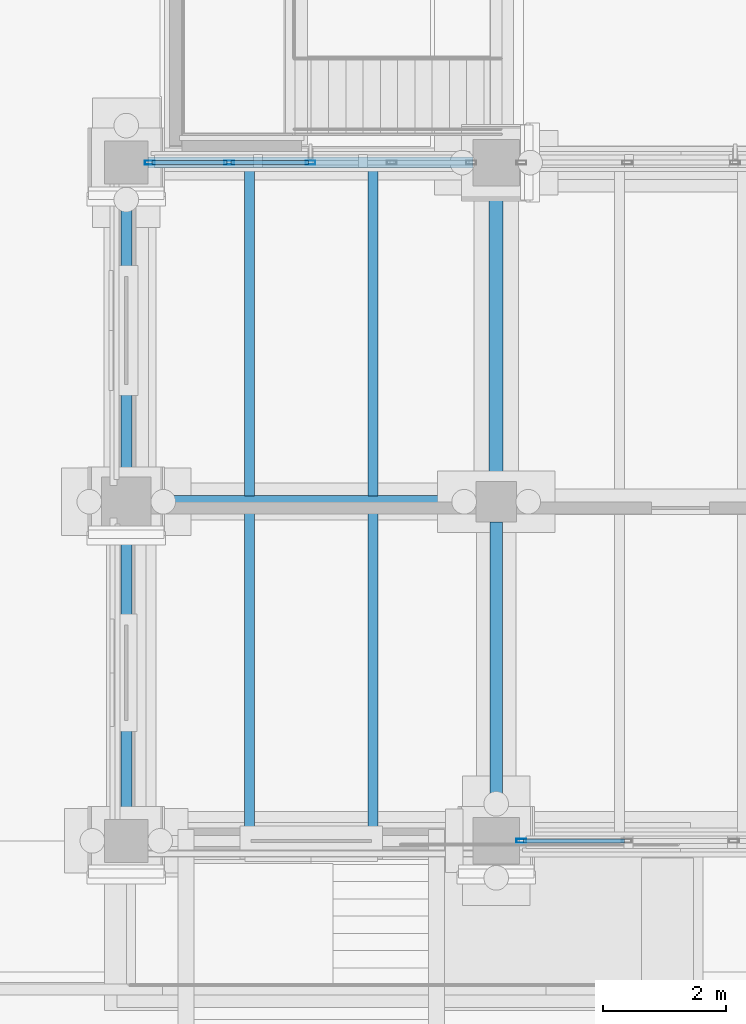
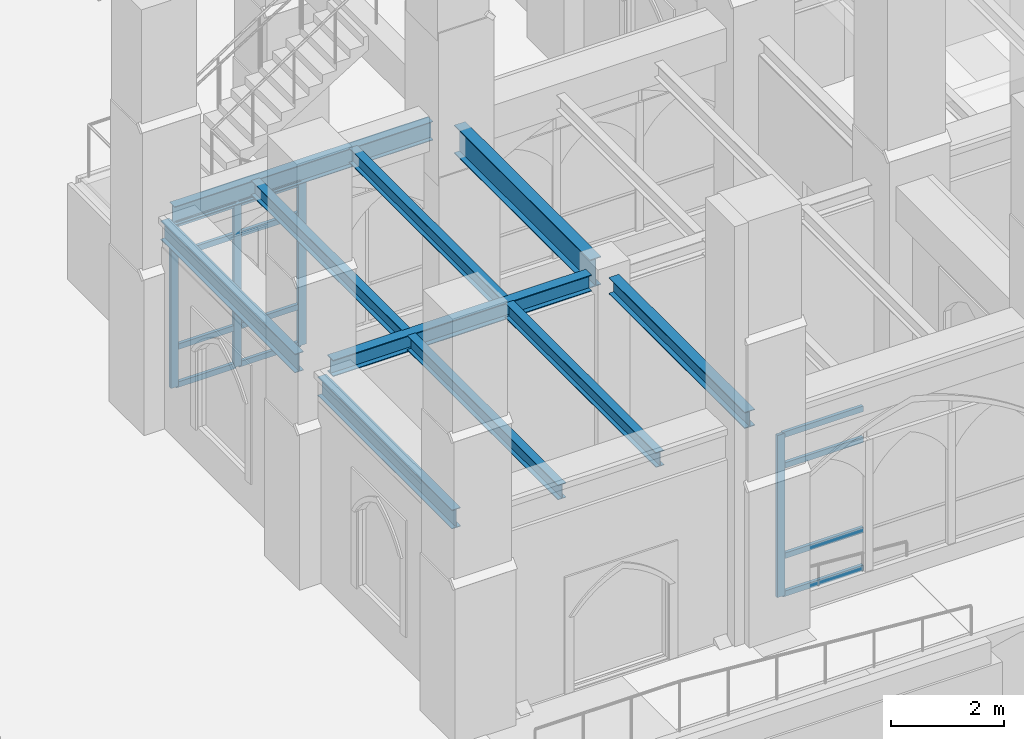
# One storey, part 41 of 135: 16 members, 10 beams, 2 elements without a shape of their own.
"""IFC4 building model written with IfcOpenShell, lengths in metres."""

from ifc_helpers import new_model, si_unit, direction, frame, origin, origin_2d, place, context, subcontext, project, spatial, hollow_rectangle, i_section, extrude, material, layer, layer_set, material_profile, profile_set, type_object, element, aggregate, save


model = new_model("IFC4")

# Units and contexts
model_context = context("Model", 3, precision=1e-05, world=origin(), true_north=direction((0.0, 1.0)))
body_context = subcontext(model_context, "Body", "Model", "MODEL_VIEW")
ifc_project = project(units=[si_unit("LENGTHUNIT", "METRE"), si_unit("AREAUNIT", "SQUARE_METRE"), si_unit("VOLUMEUNIT", "CUBIC_METRE"), si_unit("PLANEANGLEUNIT", "RADIAN"), si_unit("MASSUNIT", "GRAM", prefix="KILO")], contexts=[model_context])

# Site, building, storey
site_placement = place(None, origin())
site = spatial("IfcSite", under=ifc_project, at=site_placement, CompositionType="ELEMENT")
building_placement = place(site_placement, origin())
building = spatial("IfcBuilding", under=site, at=building_placement, Name="Cumevento Cable Car Station", CompositionType="ELEMENT")
storey_placement = place(building_placement, origin())
storey = spatial("IfcBuildingStorey", under=building, at=storey_placement, Name="L01", CompositionType="ELEMENT", Elevation=0.0)

# Curtain wall, members
ifc_material_1 = material(Name="Anodised Bronze Aluminium AW-6063-T6", Category="aluminium")
ifc_layer_1 = layer(ifc_material_1, 0.22607421875)
ifc_layer_set_1 = layer_set([ifc_layer_1], Name="Anodised Bronze Aluminium AW-6063-T6")
curtain_wall_type_1 = type_object("IfcCurtainWallType", Name="Lancet Curtain Wall CW-12 1490", PredefinedType="NOTDEFINED", material=ifc_layer_set_1)
curtain_wall_1_placement = place(storey_placement, origin())
curtain_wall_1 = element("IfcCurtainWall", 1, at=curtain_wall_1_placement, inside=storey, type_object=curtain_wall_type_1, Name="Lancet Curtain Wall CW-12 L01 #11", PredefinedType="NOTDEFINED")
ifc_material_2 = material(Name="Anodised Bronze Aluminium AW-6063-T6", Category="aluminium")
ifc_material_profile_1 = material_profile(ifc_material_2, hollow_rectangle(XDim=0.06494140625, YDim=0.159912109375, WallThickness=0.00390625, at=origin_2d()), Name="ALUM65x160x4")
ifc_profile_set_1 = profile_set([ifc_material_profile_1], Name="Anodised Bronze Aluminium AW-6063-T6")
member_type_1 = type_object("IfcMemberType", Name="Curtain Mullion CWM-01 ALUM65x160x4", PredefinedType="MULLION", material=ifc_profile_set_1)
member_1_placement = place(storey_placement, frame((106.382568359375, 15.0, 0.31005859375), z_axis=(0.0, 0.0, 1.0), x_axis=(0.0, 1.0, 0.0)))
member_1 = element("IfcMember", 2, at=member_1_placement, type_object=member_type_1, Name="CW-12 mullion 1", PredefinedType="MULLION", context=body_context, shape_type="SweptSolid", body=[
    extrude(hollow_rectangle(XDim=0.06494140625, YDim=0.159912109375, WallThickness=0.00390625, at=origin_2d()), origin(), (0.0, 0.0, 1.0), 3.532958984375),
])
member_2_placement = place(storey_placement, frame((107.668701171875, 15.0, 0.31005859375), z_axis=(0.0, 0.0, 1.0), x_axis=(0.0, 1.0, 0.0)))
member_2 = element("IfcMember", 3, at=member_2_placement, type_object=member_type_1, Name="CW-12 mullion 2", PredefinedType="MULLION", context=body_context, shape_type="SweptSolid", body=[
    extrude(hollow_rectangle(XDim=0.06494140625, YDim=0.159912109375, WallThickness=0.00390625, at=origin_2d()), origin(), (0.0, 0.0, 1.0), 3.532958984375),
])
member_3_placement = place(storey_placement, frame((108.987548828125, 15.0, 0.31005859375), z_axis=(0.0, 0.0, 1.0), x_axis=(0.0, 1.0, 0.0)))
member_3 = element("IfcMember", 4, at=member_3_placement, type_object=member_type_1, Name="CW-12 mullion 3", PredefinedType="MULLION", context=body_context, shape_type="SweptSolid", body=[
    extrude(hollow_rectangle(XDim=0.06494140625, YDim=0.159912109375, WallThickness=0.00390625, at=origin_2d()), origin(), (0.0, 0.0, 1.0), 3.532958984375),
])

# Curtain wall, member
ifc_material_3 = material(Name="Anodised Bronze Aluminium AW-6063-T6", Category="aluminium")
ifc_layer_2 = layer(ifc_material_3, 0.23193359375)
ifc_layer_set_2 = layer_set([ifc_layer_2], Name="Anodised Bronze Aluminium AW-6063-T6")
curtain_wall_type_2 = type_object("IfcCurtainWallType", Name="Lancet Curtain Wall CW-13 1530", PredefinedType="NOTDEFINED", material=ifc_layer_set_2)
curtain_wall_2_placement = place(storey_placement, origin())
curtain_wall_2 = element("IfcCurtainWall", 5, at=curtain_wall_2_placement, inside=storey, type_object=curtain_wall_type_2, Name="Lancet Curtain Wall CW-13 L01 #12", PredefinedType="NOTDEFINED")
member_4_placement = place(storey_placement, frame((112.407470703125, 4.0, 0.360107421875), z_axis=(0.0, 0.0, 1.0), x_axis=(0.0, -1.0, 0.0)))
member_4 = element("IfcMember", 6, at=member_4_placement, type_object=member_type_1, Name="CW-13 mullion 4", PredefinedType="MULLION", context=body_context, shape_type="SweptSolid", body=[
    extrude(hollow_rectangle(XDim=0.06494140625, YDim=0.159912109375, WallThickness=0.00390625, at=origin_2d()), origin(), (0.0, 0.0, 1.0), 3.496826171875),
])

# Member
ifc_material_4 = material(Name="Anodised Bronze Aluminium AW-6063-T6", Category="aluminium")
ifc_material_profile_2 = material_profile(ifc_material_4, hollow_rectangle(XDim=0.06494140625, YDim=0.1201171875, WallThickness=0.00390625, at=origin_2d()), Name="ALUT65x120x4")
ifc_profile_set_2 = profile_set([ifc_material_profile_2], Name="Anodised Bronze Aluminium AW-6063-T6")
member_type_2 = type_object("IfcMemberType", Name="Curtain Transom CWT-01 ALUT65x120x4", PredefinedType="USERDEFINED", material=ifc_profile_set_2)
member_5_placement = place(storey_placement, frame((106.4150390625, 15.0, 0.342529296875), z_axis=(1.0, 0.0, 0.0), x_axis=(0.0, 1.0, 0.0)))
member_5 = element("IfcMember", 7, at=member_5_placement, type_object=member_type_2, Name="CW-12 transom 1.1", ObjectType="TRANSOM", PredefinedType="USERDEFINED", context=body_context, shape_type="SweptSolid", body=[
    extrude(hollow_rectangle(XDim=0.06494140625, YDim=0.1201171875, WallThickness=0.00390625, at=origin_2d()), origin(), (0.0, 0.0, 1.0), 1.22119140625),
])

member_6_placement = place(storey_placement, frame((106.4150390625, 15.0, 1.159912109375), z_axis=(1.0, 0.0, 0.0), x_axis=(0.0, 1.0, 0.0)))
member_6 = element("IfcMember", 8, at=member_6_placement, type_object=member_type_2, Name="CW-12 transom 1.2", ObjectType="TRANSOM", PredefinedType="USERDEFINED", context=body_context, shape_type="SweptSolid", body=[
    extrude(hollow_rectangle(XDim=0.06494140625, YDim=0.1201171875, WallThickness=0.00390625, at=origin_2d()), origin(), (0.0, 0.0, 1.0), 1.22119140625),
])

member_7_placement = place(storey_placement, frame((106.4150390625, 15.0, 3.14306640625), z_axis=(1.0, 0.0, 0.0), x_axis=(0.0, 1.0, 0.0)))
member_7 = element("IfcMember", 9, at=member_7_placement, type_object=member_type_2, Name="CW-12 transom 1.3", ObjectType="TRANSOM", PredefinedType="USERDEFINED", context=body_context, shape_type="SweptSolid", body=[
    extrude(hollow_rectangle(XDim=0.06494140625, YDim=0.1201171875, WallThickness=0.00390625, at=origin_2d()), origin(), (0.0, 0.0, 1.0), 1.22119140625),
])

member_8_placement = place(storey_placement, frame((106.4150390625, 15.0, 3.810546875), z_axis=(1.0, 0.0, 0.0), x_axis=(0.0, 1.0, 0.0)))
member_8 = element("IfcMember", 10, at=member_8_placement, type_object=member_type_2, Name="CW-12 transom 1.4", ObjectType="TRANSOM", PredefinedType="USERDEFINED", context=body_context, shape_type="SweptSolid", body=[
    extrude(hollow_rectangle(XDim=0.06494140625, YDim=0.1201171875, WallThickness=0.00390625, at=origin_2d()), origin(), (0.0, 0.0, 1.0), 1.22119140625),
])

member_9_placement = place(storey_placement, frame((107.701171875, 15.0, 0.342529296875), z_axis=(1.0, 0.0, 0.0), x_axis=(0.0, 1.0, 0.0)))
member_9 = element("IfcMember", 11, at=member_9_placement, type_object=member_type_2, Name="CW-12 transom 2.1", ObjectType="TRANSOM", PredefinedType="USERDEFINED", context=body_context, shape_type="SweptSolid", body=[
    extrude(hollow_rectangle(XDim=0.06494140625, YDim=0.1201171875, WallThickness=0.00390625, at=origin_2d()), origin(), (0.0, 0.0, 1.0), 1.25390625),
])

member_10_placement = place(storey_placement, frame((107.701171875, 15.0, 1.159912109375), z_axis=(1.0, 0.0, 0.0), x_axis=(0.0, 1.0, 0.0)))
member_10 = element("IfcMember", 12, at=member_10_placement, type_object=member_type_2, Name="CW-12 transom 2.2", ObjectType="TRANSOM", PredefinedType="USERDEFINED", context=body_context, shape_type="SweptSolid", body=[
    extrude(hollow_rectangle(XDim=0.06494140625, YDim=0.1201171875, WallThickness=0.00390625, at=origin_2d()), origin(), (0.0, 0.0, 1.0), 1.25390625),
])

member_11_placement = place(storey_placement, frame((107.701171875, 15.0, 3.14306640625), z_axis=(1.0, 0.0, 0.0), x_axis=(0.0, 1.0, 0.0)))
member_11 = element("IfcMember", 13, at=member_11_placement, type_object=member_type_2, Name="CW-12 transom 2.3", ObjectType="TRANSOM", PredefinedType="USERDEFINED", context=body_context, shape_type="SweptSolid", body=[
    extrude(hollow_rectangle(XDim=0.06494140625, YDim=0.1201171875, WallThickness=0.00390625, at=origin_2d()), origin(), (0.0, 0.0, 1.0), 1.25390625),
])

member_12_placement = place(storey_placement, frame((107.701171875, 15.0, 3.810546875), z_axis=(1.0, 0.0, 0.0), x_axis=(0.0, 1.0, 0.0)))
member_12 = element("IfcMember", 14, at=member_12_placement, type_object=member_type_2, Name="CW-12 transom 2.4", ObjectType="TRANSOM", PredefinedType="USERDEFINED", context=body_context, shape_type="SweptSolid", body=[
    extrude(hollow_rectangle(XDim=0.06494140625, YDim=0.1201171875, WallThickness=0.00390625, at=origin_2d()), origin(), (0.0, 0.0, 1.0), 1.25390625),
])

aggregate(curtain_wall_1, [member_1, member_2, member_3, member_5, member_6, member_7, member_8, member_9, member_10, member_11, member_12])

member_13_placement = place(storey_placement, frame((114.084228515625, 4.0, 0.392578125), z_axis=(-1.0, 0.0, 0.0), x_axis=(0.0, -1.0, 0.0)))
member_13 = element("IfcMember", 15, at=member_13_placement, type_object=member_type_2, Name="CW-13 transom 3.1", ObjectType="TRANSOM", PredefinedType="USERDEFINED", context=body_context, shape_type="SweptSolid", body=[
    extrude(hollow_rectangle(XDim=0.06494140625, YDim=0.1201171875, WallThickness=0.00390625, at=origin_2d()), origin(), (0.0, 0.0, 1.0), 1.644287109375),
])

member_14_placement = place(storey_placement, frame((114.084228515625, 4.0, 1.2099609375), z_axis=(-1.0, 0.0, 0.0), x_axis=(0.0, -1.0, 0.0)))
member_14 = element("IfcMember", 16, at=member_14_placement, type_object=member_type_2, Name="CW-13 transom 3.2", ObjectType="TRANSOM", PredefinedType="USERDEFINED", context=body_context, shape_type="SweptSolid", body=[
    extrude(hollow_rectangle(XDim=0.06494140625, YDim=0.1201171875, WallThickness=0.00390625, at=origin_2d()), origin(), (0.0, 0.0, 1.0), 1.644287109375),
])

member_15_placement = place(storey_placement, frame((114.084228515625, 4.0, 3.156982421875), z_axis=(-1.0, 0.0, 0.0), x_axis=(0.0, -1.0, 0.0)))
member_15 = element("IfcMember", 17, at=member_15_placement, type_object=member_type_2, Name="CW-13 transom 3.3", ObjectType="TRANSOM", PredefinedType="USERDEFINED", context=body_context, shape_type="SweptSolid", body=[
    extrude(hollow_rectangle(XDim=0.06494140625, YDim=0.1201171875, WallThickness=0.00390625, at=origin_2d()), origin(), (0.0, 0.0, 1.0), 1.644287109375),
])

member_16_placement = place(storey_placement, frame((114.084228515625, 4.0, 3.824462890625), z_axis=(-1.0, 0.0, 0.0), x_axis=(0.0, -1.0, 0.0)))
member_16 = element("IfcMember", 18, at=member_16_placement, type_object=member_type_2, Name="CW-13 transom 3.4", ObjectType="TRANSOM", PredefinedType="USERDEFINED", context=body_context, shape_type="SweptSolid", body=[
    extrude(hollow_rectangle(XDim=0.06494140625, YDim=0.1201171875, WallThickness=0.00390625, at=origin_2d()), origin(), (0.0, 0.0, 1.0), 1.644287109375),
])

aggregate(curtain_wall_2, [member_4, member_13, member_14, member_15, member_16])

# Beams
ifc_material_5 = material(Name="Steel ASTM A572 Grade 50", Category="steel")
ifc_material_profile_3 = material_profile(ifc_material_5, i_section(OverallWidth=0.22802734375, OverallDepth=0.60791015625, WebThickness=0.01123046875, FlangeThickness=0.017333984375, at=origin_2d()), Name="W610x113.0")
ifc_profile_set_3 = profile_set([ifc_material_profile_3], Name="Steel ASTM A572 Grade 50")
beam_type_1 = type_object("IfcBeamType", Name="Structural Beam BM-02 W610x113.0", PredefinedType="BEAM", material=ifc_profile_set_3)
beam_1_placement = place(storey_placement, frame((112.0, 9.824951171875, 3.946044921875), z_axis=(0.0, 1.0, 0.0), x_axis=(-1.0, 0.0, 0.0)))
element("IfcBeam", 19, at=beam_1_placement, inside=storey, type_object=beam_type_1, Name="Beam BM-02 L01 #49", PredefinedType="BEAM", context=body_context, shape_type="SweptSolid", body=[
    extrude(i_section(OverallWidth=0.22802734375, OverallDepth=0.60791015625, WebThickness=0.01123046875, FlangeThickness=0.017333984375, at=origin_2d()), origin(), (0.0, 0.0, 1.0), 4.800048828125),
])
ifc_material_6 = material(Name="Steel ASTM A572 Grade 50", Category="steel")
ifc_material_profile_4 = material_profile(ifc_material_6, i_section(OverallWidth=0.205078125, OverallDepth=0.35400390625, WebThickness=0.009521484375, FlangeThickness=0.016845703125, at=origin_2d()), Name="W360x79.0")
ifc_profile_set_4 = profile_set([ifc_material_profile_4], Name="Steel ASTM A572 Grade 50")
beam_type_2 = type_object("IfcBeamType", Name="Structural Beam BM-05 W360x79.0", PredefinedType="BEAM", material=ifc_profile_set_4)
beam_2_placement = place(storey_placement, frame((106.39990234375, 9.5, 4.0869140625), z_axis=(1.0, 0.0, 0.0), x_axis=(0.0, 1.0, 0.0)))
element("IfcBeam", 20, at=beam_2_placement, inside=storey, type_object=beam_type_2, Name="Beam BM-05 L01 #42", PredefinedType="BEAM", context=body_context, shape_type="SweptSolid", body=[
    extrude(i_section(OverallWidth=0.205078125, OverallDepth=0.35400390625, WebThickness=0.009521484375, FlangeThickness=0.016845703125, at=origin_2d()), origin(), (0.0, 0.0, 1.0), 5.275146484375),
])
beam_3_placement = place(storey_placement, frame((112.0, 4.375, 4.0869140625), z_axis=(0.0, 1.0, 0.0), x_axis=(-1.0, 0.0, 0.0)))
element("IfcBeam", 21, at=beam_3_placement, inside=storey, type_object=beam_type_2, Name="Beam BM-05 L01 #48", PredefinedType="BEAM", context=body_context, shape_type="SweptSolid", body=[
    extrude(i_section(OverallWidth=0.205078125, OverallDepth=0.35400390625, WebThickness=0.009521484375, FlangeThickness=0.016845703125, at=origin_2d()), origin(), (0.0, 0.0, 1.0), 4.800048828125),
])
ifc_material_7 = material(Name="Steel ASTM A572 Grade 50", Category="steel")
ifc_material_profile_5 = material_profile(ifc_material_7, i_section(OverallWidth=0.1669921875, OverallDepth=0.31689453125, WebThickness=0.007568359375, FlangeThickness=0.01318359375, at=origin_2d()), Name="W310x52.0")
ifc_profile_set_5 = profile_set([ifc_material_profile_5], Name="Steel ASTM A572 Grade 50")
beam_type_3 = type_object("IfcBeamType", Name="Structural Joist JS-02 W310x52.0", PredefinedType="JOIST", material=ifc_profile_set_5)
for number, where, z_axis, x_axis, name in (
    (22, (108.0, 4.076904296875, 4.10546875), (0.0, 1.0, 0.0), (-1.0, 0.0, 0.0), "Composite Floor Joist JS-02 L01 #327"),
    (23, (108.0, 9.590576171875, 4.10546875), (0.0, 1.0, 0.0), (-1.0, 0.0, 0.0), "Composite Floor Joist JS-02 L01 #328"),
    (24, (110.0, 4.076904296875, 4.10546875), (0.0, 1.0, 0.0), (-1.0, 0.0, 0.0), "Composite Floor Joist JS-02 L01 #329"),
    (25, (110.0, 9.590576171875, 4.10546875), (0.0, 1.0, 0.0), (-1.0, 0.0, 0.0), "Composite Floor Joist JS-02 L01 #330"),
):
    element("IfcBeam", number, at=place(storey_placement, frame(where, z_axis=z_axis, x_axis=x_axis)), inside=storey, type_object=beam_type_3, Name=name, PredefinedType="JOIST", context=body_context, shape_type="SweptSolid", body=[
        extrude(i_section(OverallWidth=0.1669921875, OverallDepth=0.31689453125, WebThickness=0.007568359375, FlangeThickness=0.01318359375, at=origin_2d()), origin(), (0.0, 0.0, 1.0), 5.33251953125),
    ])
ifc_material_8 = material(Name="Steel ASTM A572 Grade 50", Category="steel")
ifc_material_profile_6 = material_profile(ifc_material_8, i_section(OverallWidth=0.177978515625, OverallDepth=0.406982421875, WebThickness=0.0078125, FlangeThickness=0.0126953125, at=origin_2d()), Name="W410x60.0")
ifc_profile_set_6 = profile_set([ifc_material_profile_6], Name="Steel ASTM A572 Grade 50")
beam_type_4 = type_object("IfcBeamType", Name="Structural Spandrel SP-01 W410x60.0", PredefinedType="SPANDREL", material=ifc_profile_set_6)
beam_4_placement = place(storey_placement, frame((106.35009765625, 15.0, 4.04638671875), z_axis=(1.0, 0.0, 0.0), x_axis=(0.0, 1.0, 0.0)))
element("IfcBeam", 26, at=beam_4_placement, inside=storey, type_object=beam_type_4, Name="Beam SP-01 L01 #44", PredefinedType="SPANDREL", context=body_context, shape_type="SweptSolid", body=[
    extrude(i_section(OverallWidth=0.177978515625, OverallDepth=0.406982421875, WebThickness=0.0078125, FlangeThickness=0.0126953125, at=origin_2d()), origin(), (0.0, 0.0, 1.0), 5.27490234375),
])
for number, where, z_axis, x_axis, name in (
    (27, (106.0, 4.35009765625, 4.060546875), (0.0, 1.0, 0.0), (-1.0, 0.0, 0.0), "Beam SP-01 L01 #46"),
    (28, (106.0, 9.89990234375, 4.060546875), (0.0, 1.0, 0.0), (-1.0, 0.0, 0.0), "Beam SP-01 L01 #47"),
):
    element("IfcBeam", number, at=place(storey_placement, frame(where, z_axis=z_axis, x_axis=x_axis)), inside=storey, type_object=beam_type_4, Name=name, PredefinedType="SPANDREL", context=body_context, shape_type="SweptSolid", body=[
        extrude(i_section(OverallWidth=0.177978515625, OverallDepth=0.406982421875, WebThickness=0.0078125, FlangeThickness=0.0126953125, at=origin_2d()), origin(), (0.0, 0.0, 1.0), 4.75),
    ])

save(model, "model.ifc")
